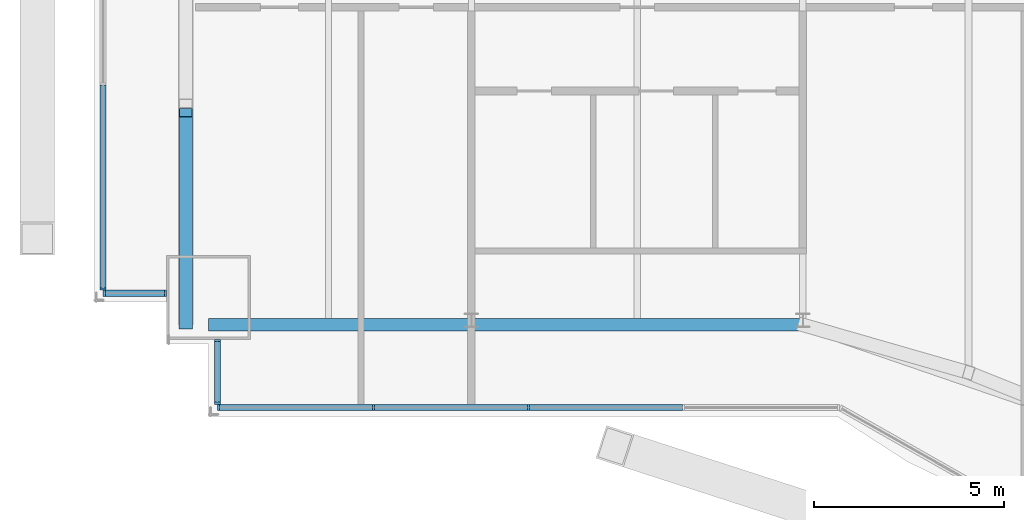
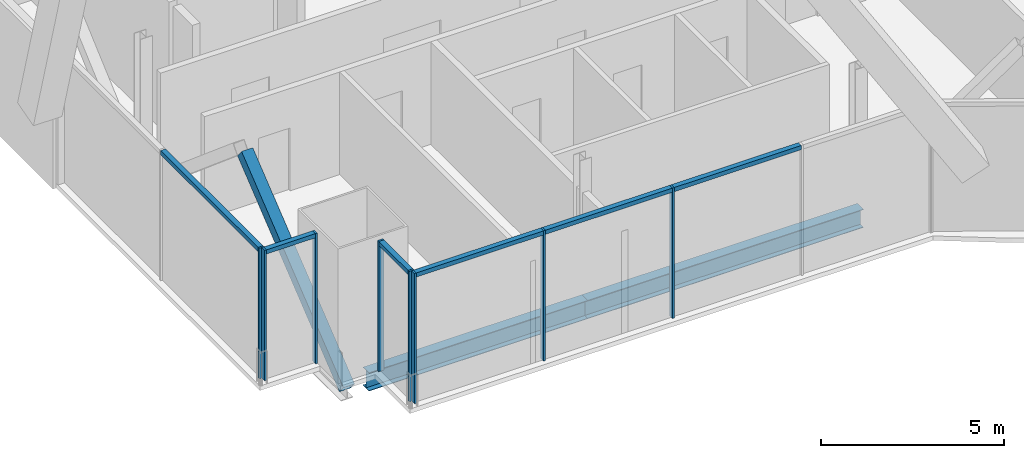
# One storey, part 5 of 22: 15 members, 2 beams, 4 elements without a shape of their own.
"""IFC4 building model written with IfcOpenShell, lengths in metres."""

from ifc_helpers import new_model, si_unit, direction, frame, origin, origin_2d, place, context, subcontext, project, spatial, rectangle, hollow_rectangle, i_section, extrude, material, material_profile, profile_set, type_object, element, aggregate, save


model = new_model("IFC4")

# Units and contexts
model_context = context("Model", 3, precision=1e-05, world=origin(), true_north=direction((0.0, 1.0)))
body_context = subcontext(model_context, "Body", "Model", "MODEL_VIEW")
ifc_project = project(units=[si_unit("LENGTHUNIT", "METRE"), si_unit("AREAUNIT", "SQUARE_METRE"), si_unit("VOLUMEUNIT", "CUBIC_METRE"), si_unit("PLANEANGLEUNIT", "RADIAN"), si_unit("MASSUNIT", "GRAM", prefix="KILO")], contexts=[model_context])

# Site, building, storey
site_placement = place(None, origin())
site = spatial("IfcSite", under=ifc_project, at=site_placement, CompositionType="ELEMENT")
building_placement = place(site_placement, origin())
building = spatial("IfcBuilding", under=site, at=building_placement, Name="Bicima Exchange Tower", CompositionType="ELEMENT")
storey_placement = place(building_placement, frame((0.0, 0.0, 315.5)))
storey = spatial("IfcBuildingStorey", under=building, at=storey_placement, Name="L71", CompositionType="ELEMENT", Elevation=315.5)

# Curtain wall, members
ifc_material_1 = material(Name="Anodised bronze aluminium", Category="aluminium")
curtain_wall_type_1 = type_object("IfcCurtainWallType", Name="End face glass wall", PredefinedType="NOTDEFINED", material=ifc_material_1)
curtain_wall_1_placement = place(storey_placement, origin())
curtain_wall_1 = element("IfcCurtainWall", 1, at=curtain_wall_1_placement, inside=storey, type_object=curtain_wall_type_1, Name="End face glass wall L71 run 2", PredefinedType="NOTDEFINED")
ifc_material_profile_1 = material_profile(ifc_material_1, rectangle(XDim=0.159912109375, YDim=0.06005859375, at=origin_2d()))
ifc_profile_set_1 = profile_set([ifc_material_profile_1], Name="Anodised bronze aluminium")
member_type_1 = type_object("IfcMemberType", Name="End face glass wall mullion 60 x 160", PredefinedType="MULLION", material=ifc_profile_set_1)
member_1_placement = place(storey_placement, frame((-35.77001953125, -22.800048828125, 0.0), z_axis=(0.0, 0.0, 1.0), x_axis=(1.0, 0.0, 0.0)))
member_1 = element("IfcMember", 2, at=member_1_placement, type_object=member_type_1, Name="End face glass wall mullion 3", PredefinedType="MULLION", context=body_context, shape_type="SweptSolid", body=[
    extrude(rectangle(XDim=0.159912109375, YDim=0.06005859375, at=origin_2d()), origin(), (0.0, 0.0, 1.0), 4.35009765625),
])
ifc_material_profile_2 = material_profile(ifc_material_1, rectangle(XDim=0.159912109375, YDim=0.139892578125, at=origin_2d()))
ifc_profile_set_2 = profile_set([ifc_material_profile_2], Name="Anodised bronze aluminium")
member_type_2 = type_object("IfcMemberType", Name="End face glass wall transom 140 x 160", PredefinedType="USERDEFINED", material=ifc_profile_set_2)
member_2_placement = place(storey_placement, frame((-35.77001953125, -17.445068359375, 4.280029296875), z_axis=(0.0, -1.0, 0.0), x_axis=(1.0, 0.0, 0.0)))
member_2 = element("IfcMember", 3, at=member_2_placement, type_object=member_type_2, Name="End face glass wall transom 2.1", ObjectType="TRANSOM", PredefinedType="USERDEFINED", context=body_context, shape_type="SweptSolid", body=[
    extrude(rectangle(XDim=0.159912109375, YDim=0.139892578125, at=origin_2d()), origin(), (0.0, 0.0, 1.0), 5.324951171875),
])
aggregate(curtain_wall_1, [member_1, member_2])

# Beams
ifc_material_2 = material(Name="Steel ASTM A992 Gr 50", Category="steel")
ifc_material_profile_3 = material_profile(ifc_material_2, i_section(OverallWidth=0.3251953125, OverallDepth=0.612060546875, WebThickness=0.0126953125, FlangeThickness=0.01904296875, at=origin_2d()))
ifc_profile_set_3 = profile_set([ifc_material_profile_3], Name="Steel ASTM A992 Gr 50")
beam_type = type_object("IfcBeamType", Name="Front girder W24x104", PredefinedType="BEAM", material=ifc_profile_set_3)
beam_1_placement = place(storey_placement, frame((-33.0, -23.739990234375, -0.4560546875), z_axis=(1.0, 0.0, 0.0), x_axis=(0.0, 1.0, 0.0)))
element("IfcBeam", 4, at=beam_1_placement, inside=storey, type_object=beam_type, Name="Front girder", PredefinedType="BEAM", context=body_context, shape_type="SweptSolid", body=[
    extrude(i_section(OverallWidth=0.3251953125, OverallDepth=0.612060546875, WebThickness=0.0126953125, FlangeThickness=0.01904296875, at=origin_2d()), origin(), (0.0, 0.0, 1.0), 6.89990234375),
])
beam_2_placement = place(storey_placement, frame((-26.10009765625, -23.739990234375, -0.4560546875), z_axis=(1.0, 0.0, 0.0), x_axis=(0.0, 1.0, 0.0)))
element("IfcBeam", 5, at=beam_2_placement, inside=storey, type_object=beam_type, Name="Front girder", PredefinedType="BEAM", context=body_context, shape_type="SweptSolid", body=[
    extrude(i_section(OverallWidth=0.3251953125, OverallDepth=0.612060546875, WebThickness=0.0126953125, FlangeThickness=0.01904296875, at=origin_2d()), origin(), (0.0, 0.0, 1.0), 8.7001953125),
])

# Curtain wall, members
curtain_wall_type_2 = type_object("IfcCurtainWallType", Name="Front glass wall", PredefinedType="NOTDEFINED", material=ifc_material_1)
curtain_wall_2_placement = place(storey_placement, origin())
curtain_wall_2 = element("IfcCurtainWall", 6, at=curtain_wall_2_placement, inside=storey, type_object=curtain_wall_type_2, Name="Front glass wall L71 run 3", PredefinedType="NOTDEFINED")
member_type_3 = type_object("IfcMemberType", Name="Front glass wall mullion 60 x 160", PredefinedType="MULLION", material=ifc_profile_set_1)
member_3_placement = place(storey_placement, frame((-35.739990234375, -22.909912109375, 0.0), z_axis=(0.0, 0.0, 1.0), x_axis=(0.0, 1.0, 0.0)))
member_3 = element("IfcMember", 7, at=member_3_placement, type_object=member_type_3, Name="Front glass wall mullion 1", PredefinedType="MULLION", context=body_context, shape_type="SweptSolid", body=[
    extrude(rectangle(XDim=0.159912109375, YDim=0.06005859375, at=origin_2d()), origin(), (0.0, 0.0, 1.0), 4.35009765625),
])
member_4_placement = place(storey_placement, frame((-34.1298828125, -22.909912109375, 0.0), z_axis=(0.0, 0.0, 1.0), x_axis=(0.0, 1.0, 0.0)))
member_4 = element("IfcMember", 8, at=member_4_placement, type_object=member_type_3, Name="Front glass wall mullion 2", PredefinedType="MULLION", context=body_context, shape_type="SweptSolid", body=[
    extrude(rectangle(XDim=0.159912109375, YDim=0.06005859375, at=origin_2d()), origin(), (0.0, 0.0, 1.0), 4.35009765625),
])

curtain_wall_3_placement = place(storey_placement, origin())
curtain_wall_3 = element("IfcCurtainWall", 9, at=curtain_wall_3_placement, inside=storey, type_object=curtain_wall_type_2, Name="Front glass wall L71 run 4", PredefinedType="NOTDEFINED")
member_5_placement = place(storey_placement, frame((-32.77001953125, -24.14794921875, 0.0), z_axis=(0.0, 0.0, 1.0), x_axis=(1.0, 0.0, 0.0)))
member_5 = element("IfcMember", 10, at=member_5_placement, type_object=member_type_3, Name="Front glass wall mullion 1", PredefinedType="MULLION", context=body_context, shape_type="SweptSolid", body=[
    extrude(rectangle(XDim=0.159912109375, YDim=0.06005859375, at=origin_2d()), origin(), (0.0, 0.0, 1.0), 4.35009765625),
])
member_6_placement = place(storey_placement, frame((-32.77001953125, -25.800048828125, 0.0), z_axis=(0.0, 0.0, 1.0), x_axis=(1.0, 0.0, 0.0)))
member_6 = element("IfcMember", 11, at=member_6_placement, type_object=member_type_3, Name="Front glass wall mullion 2", PredefinedType="MULLION", context=body_context, shape_type="SweptSolid", body=[
    extrude(rectangle(XDim=0.159912109375, YDim=0.06005859375, at=origin_2d()), origin(), (0.0, 0.0, 1.0), 4.35009765625),
])

curtain_wall_4_placement = place(storey_placement, origin())
curtain_wall_4 = element("IfcCurtainWall", 12, at=curtain_wall_4_placement, inside=storey, type_object=curtain_wall_type_2, Name="Front glass wall L71 run 5", PredefinedType="NOTDEFINED")
member_7_placement = place(storey_placement, frame((-32.739990234375, -25.909912109375, 0.0), z_axis=(0.0, 0.0, 1.0), x_axis=(0.0, 1.0, 0.0)))
member_7 = element("IfcMember", 13, at=member_7_placement, type_object=member_type_3, Name="Front glass wall mullion 1", PredefinedType="MULLION", context=body_context, shape_type="SweptSolid", body=[
    extrude(rectangle(XDim=0.159912109375, YDim=0.06005859375, at=origin_2d()), origin(), (0.0, 0.0, 1.0), 4.35009765625),
])
member_8_placement = place(storey_placement, frame((-28.67041015625, -25.909912109375, 0.0), z_axis=(0.0, 0.0, 1.0), x_axis=(0.0, 1.0, 0.0)))
member_8 = element("IfcMember", 14, at=member_8_placement, type_object=member_type_3, Name="Front glass wall mullion 2", PredefinedType="MULLION", context=body_context, shape_type="SweptSolid", body=[
    extrude(rectangle(XDim=0.159912109375, YDim=0.06005859375, at=origin_2d()), origin(), (0.0, 0.0, 1.0), 4.35009765625),
])
member_9_placement = place(storey_placement, frame((-24.60107421875, -25.909912109375, 0.0), z_axis=(0.0, 0.0, 1.0), x_axis=(0.0, 1.0, 0.0)))
member_9 = element("IfcMember", 15, at=member_9_placement, type_object=member_type_3, Name="Front glass wall mullion 3", PredefinedType="MULLION", context=body_context, shape_type="SweptSolid", body=[
    extrude(rectangle(XDim=0.159912109375, YDim=0.06005859375, at=origin_2d()), origin(), (0.0, 0.0, 1.0), 4.35009765625),
])

# Member
member_type_4 = type_object("IfcMemberType", Name="Front glass wall transom 140 x 160", PredefinedType="USERDEFINED", material=ifc_profile_set_2)
member_10_placement = place(storey_placement, frame((-35.7099609375, -22.909912109375, 4.280029296875), z_axis=(1.0, 0.0, 0.0), x_axis=(0.0, 1.0, 0.0)))
member_10 = element("IfcMember", 16, at=member_10_placement, type_object=member_type_4, Name="Front glass wall transom 1.1", ObjectType="TRANSOM", PredefinedType="USERDEFINED", context=body_context, shape_type="SweptSolid", body=[
    extrude(rectangle(XDim=0.159912109375, YDim=0.139892578125, at=origin_2d()), origin(), (0.0, 0.0, 1.0), 1.550048828125),
])

aggregate(curtain_wall_2, [member_3, member_4, member_10])

member_11_placement = place(storey_placement, frame((-32.77001953125, -24.177978515625, 4.280029296875), z_axis=(0.0, -1.0, 0.0), x_axis=(1.0, 0.0, 0.0)))
member_11 = element("IfcMember", 17, at=member_11_placement, type_object=member_type_4, Name="Front glass wall transom 1.1", ObjectType="TRANSOM", PredefinedType="USERDEFINED", context=body_context, shape_type="SweptSolid", body=[
    extrude(rectangle(XDim=0.159912109375, YDim=0.139892578125, at=origin_2d()), origin(), (0.0, 0.0, 1.0), 1.592041015625),
])

aggregate(curtain_wall_3, [member_5, member_6, member_11])

member_12_placement = place(storey_placement, frame((-32.7099609375, -25.909912109375, 4.280029296875), z_axis=(1.0, 0.0, 0.0), x_axis=(0.0, 1.0, 0.0)))
member_12 = element("IfcMember", 18, at=member_12_placement, type_object=member_type_4, Name="Front glass wall transom 1.1", ObjectType="TRANSOM", PredefinedType="USERDEFINED", context=body_context, shape_type="SweptSolid", body=[
    extrude(rectangle(XDim=0.159912109375, YDim=0.139892578125, at=origin_2d()), origin(), (0.0, 0.0, 1.0), 4.009521484375),
])

member_13_placement = place(storey_placement, frame((-28.640380859375, -25.909912109375, 4.280029296875), z_axis=(1.0, 0.0, 0.0), x_axis=(0.0, 1.0, 0.0)))
member_13 = element("IfcMember", 19, at=member_13_placement, type_object=member_type_4, Name="Front glass wall transom 2.1", ObjectType="TRANSOM", PredefinedType="USERDEFINED", context=body_context, shape_type="SweptSolid", body=[
    extrude(rectangle(XDim=0.159912109375, YDim=0.139892578125, at=origin_2d()), origin(), (0.0, 0.0, 1.0), 4.00927734375),
])

member_14_placement = place(storey_placement, frame((-24.571044921875, -25.909912109375, 4.280029296875), z_axis=(1.0, 0.0, 0.0), x_axis=(0.0, 1.0, 0.0)))
member_14 = element("IfcMember", 20, at=member_14_placement, type_object=member_type_4, Name="Front glass wall transom 3.1", ObjectType="TRANSOM", PredefinedType="USERDEFINED", context=body_context, shape_type="SweptSolid", body=[
    extrude(rectangle(XDim=0.159912109375, YDim=0.139892578125, at=origin_2d()), origin(), (0.0, 0.0, 1.0), 4.009521484375),
])

aggregate(curtain_wall_4, [member_7, member_8, member_9, member_12, member_13, member_14])

ifc_material_3 = material(Name="Steel ASTM A572 Gr 50", Category="steel")
ifc_material_profile_4 = material_profile(ifc_material_3, hollow_rectangle(XDim=0.355712890625, YDim=0.355712890625, WallThickness=0.01171875, at=origin_2d()))
ifc_profile_set_4 = profile_set([ifc_material_profile_4], Name="Steel ASTM A572 Gr 50")
member_type_5 = type_object("IfcMemberType", Name="Mega brace HSS14x14x1/2", PredefinedType="BRACE", material=ifc_profile_set_4)
member_15_placement = place(storey_placement, frame((-33.60009765625, -23.739990234375, -0.5361328125), z_axis=(0.0, 0.777866178956, 0.628429954439), x_axis=(-1.0, 0.0, 0.0)))
element("IfcMember", 21, at=member_15_placement, inside=storey, type_object=member_type_5, Name="Mega brace west end", PredefinedType="BRACE", context=body_context, shape_type="SweptSolid", body=[
    extrude(hollow_rectangle(XDim=0.355712890625, YDim=0.355712890625, WallThickness=0.01171875, at=origin_2d()), origin(), (0.0, 0.0, 1.0), 7.16064453125),
])

save(model, "model.ifc")
